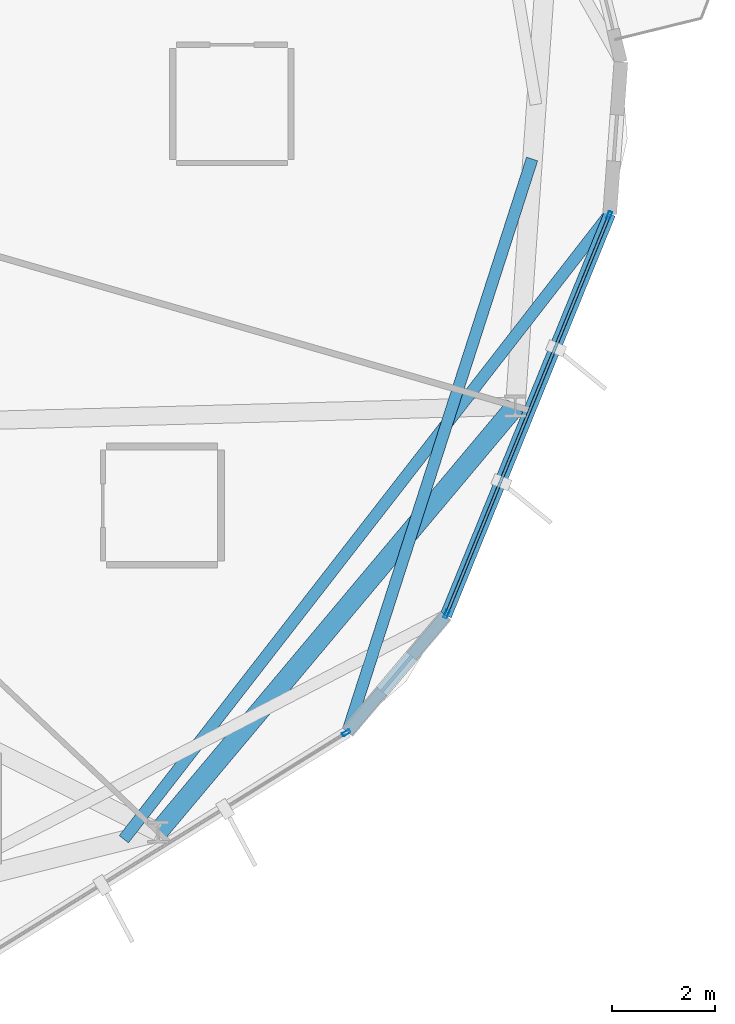
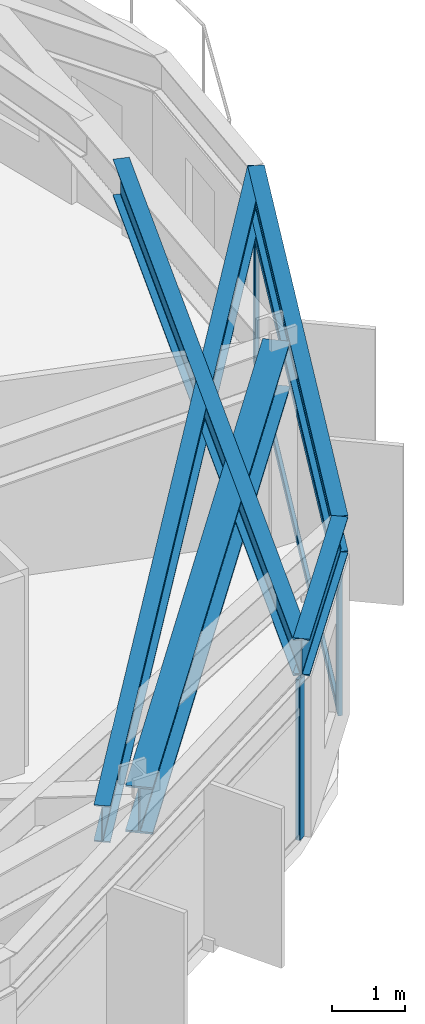
# One storey, part 8 of 21: 6 members, 5 beams, 2 elements without a shape of their own.
"""IFC4 building model written with IfcOpenShell, lengths in metres."""

from ifc_helpers import new_model, si_unit, direction, frame, origin, origin_2d, place, context, subcontext, project, spatial, hollow_rectangle, i_section, extrude, material, layer, layer_set, material_profile, profile_set, type_object, element, aggregate, save


model = new_model("IFC4")

# Units and contexts
model_context = context("Model", 3, precision=1e-05, world=origin(), true_north=direction((0.0, 1.0)))
body_context = subcontext(model_context, "Body", "Model", "MODEL_VIEW")
ifc_project = project(units=[si_unit("LENGTHUNIT", "METRE"), si_unit("AREAUNIT", "SQUARE_METRE"), si_unit("VOLUMEUNIT", "CUBIC_METRE"), si_unit("PLANEANGLEUNIT", "RADIAN"), si_unit("MASSUNIT", "GRAM", prefix="KILO")], contexts=[model_context])

# Site, building, storey
site_placement = place(None, origin())
site = spatial("IfcSite", under=ifc_project, at=site_placement, CompositionType="ELEMENT")
building_placement = place(site_placement, origin())
building = spatial("IfcBuilding", under=site, at=building_placement, Name="Soratama Intermodal Tower", CompositionType="ELEMENT")
storey_placement = place(building_placement, frame((0.0, 0.0, 153.39990234375)))
storey = spatial("IfcBuildingStorey", under=building, at=storey_placement, Name="L37", CompositionType="ELEMENT", Elevation=153.39990234375)

# Beams
ifc_material_1 = material(Name="Structural steel ASTM A992 Grade 50", Category="steel")
ifc_material_profile_1 = material_profile(ifc_material_1, i_section(OverallWidth=0.382080078125, OverallDepth=0.779052734375, WebThickness=0.01806640625, FlangeThickness=0.030029296875, FilletRadius=0.01806640625, at=origin_2d()), Name="W30X191")
ifc_profile_set_1 = profile_set([ifc_material_profile_1], Name="Structural steel ASTM A992 Grade 50")
beam_type_1 = type_object("IfcBeamType", Name="BM-RING-W30X191", PredefinedType="BEAM", material=ifc_profile_set_1)
beam_1_placement = place(storey_placement, frame((54.27392578125, 10.158935546875, 2.91064453125), z_axis=(0.642791781199, 0.766040942785, 0.0), x_axis=(-0.766040942785, 0.642791781199, 0.0)))
element("IfcBeam", 1, at=beam_1_placement, inside=storey, type_object=beam_type_1, Name="BM-L37-RING-09", PredefinedType="BEAM", context=body_context, shape_type="SweptSolid", body=[
    extrude(i_section(OverallWidth=0.382080078125, OverallDepth=0.779052734375, WebThickness=0.01806640625, FlangeThickness=0.030029296875, FilletRadius=0.01806640625, at=origin_2d()), origin(), (0.0, 0.0, 1.0), 10.815673828125),
])
ifc_material_2 = material(Name="Structural steel ASTM A992 Grade 50", Category="steel")
ifc_material_profile_2 = material_profile(ifc_material_2, i_section(OverallWidth=0.22900390625, OverallDepth=0.612060546875, WebThickness=0.011962890625, FlangeThickness=0.01953125, FilletRadius=0.012939453125, at=origin_2d()), Name="W24X84")
ifc_profile_set_2 = profile_set([ifc_material_profile_2], Name="Structural steel ASTM A992 Grade 50")
beam_type_2 = type_object("IfcBeamType", Name="BM-SPN-W24X84", PredefinedType="SPANDREL", material=ifc_profile_set_2)
beam_2_placement = place(storey_placement, frame((57.9609375, 12.10595703125, 2.994140625), z_axis=(0.645432814439, 0.763817047496, 0.0), x_axis=(-0.763817047496, 0.645432814439, 0.0)))
element("IfcBeam", 2, at=beam_2_placement, inside=storey, type_object=beam_type_2, Name="BS-L37-CRN08", PredefinedType="SPANDREL", context=body_context, shape_type="SweptSolid", body=[
    extrude(i_section(OverallWidth=0.22900390625, OverallDepth=0.612060546875, WebThickness=0.011962890625, FlangeThickness=0.01953125, FilletRadius=0.012939453125, at=origin_2d()), origin(), (0.0, 0.0, 1.0), 2.965576171875),
])
beam_3_placement = place(storey_placement, frame((59.875, 14.37109375, 2.994140625), z_axis=(0.377815023568, 0.92588109818, 0.0), x_axis=(-0.92588109818, 0.377815023568, 0.0)))
element("IfcBeam", 3, at=beam_3_placement, inside=storey, type_object=beam_type_2, Name="BS-L37-F09", PredefinedType="SPANDREL", context=body_context, shape_type="SweptSolid", body=[
    extrude(i_section(OverallWidth=0.22900390625, OverallDepth=0.612060546875, WebThickness=0.011962890625, FlangeThickness=0.01953125, FilletRadius=0.012939453125, at=origin_2d()), origin(), (0.0, 0.0, 1.0), 8.4404296875),
])
ifc_material_3 = material(Name="Structural steel ASTM A992 Grade 50", Category="steel")
ifc_material_profile_3 = material_profile(ifc_material_3, i_section(OverallWidth=0.22900390625, OverallDepth=0.612060546875, WebThickness=0.011962890625, FlangeThickness=0.01953125, FilletRadius=0.012939453125, at=origin_2d()), Name="W24X84")
ifc_profile_set_3 = profile_set([ifc_material_profile_3], Name="Structural steel ASTM A992 Grade 50")
beam_type_3 = type_object("IfcBeamType", Name="BM-TIE-W24X84", PredefinedType="BEAM", material=ifc_profile_set_3)
beam_4_placement = place(storey_placement, frame((61.552978515625, 23.258056640625, 2.994140625), z_axis=(-0.306584484831, -0.951843450186, 0.0), x_axis=(0.951843450186, -0.306584484831, 0.0)))
element("IfcBeam", 4, at=beam_4_placement, inside=storey, type_object=beam_type_3, Name="BM-L37-TIE1-08", PredefinedType="BEAM", context=body_context, shape_type="SweptSolid", body=[
    extrude(i_section(OverallWidth=0.22900390625, OverallDepth=0.612060546875, WebThickness=0.011962890625, FlangeThickness=0.01953125, FilletRadius=0.012939453125, at=origin_2d()), origin(), (0.0, 0.0, 1.0), 11.71630859375),
])
beam_5_placement = place(storey_placement, frame((53.60791015625, 10.01904296875, 2.994140625), z_axis=(0.613651001509, 0.789577385914, 0.0), x_axis=(-0.789577385914, 0.613651001509, 0.0)))
element("IfcBeam", 5, at=beam_5_placement, inside=storey, type_object=beam_type_3, Name="BM-L37-TIE1-09", PredefinedType="BEAM", context=body_context, shape_type="SweptSolid", body=[
    extrude(i_section(OverallWidth=0.22900390625, OverallDepth=0.612060546875, WebThickness=0.011962890625, FlangeThickness=0.01953125, FilletRadius=0.012939453125, at=origin_2d()), origin(), (0.0, 0.0, 1.0), 15.409423828125),
])

# Curtain wall, member
ifc_material_4 = material(Name="Double-glazed aluminium curtain wall", Category="aluminium")
ifc_layer = layer(ifc_material_4, 0.159912109375)
ifc_layer_set = layer_set([ifc_layer], Name="Double-glazed aluminium curtain wall")
curtain_wall_type = type_object("IfcCurtainWallType", Name="CW-SYS-4", PredefinedType="NOTDEFINED", material=ifc_layer_set)
curtain_wall_1_placement = place(storey_placement, origin())
curtain_wall_1 = element("IfcCurtainWall", 6, at=curtain_wall_1_placement, inside=storey, type_object=curtain_wall_type, Name="L37 Faceted Curtain Wall F08", PredefinedType="NOTDEFINED")
ifc_material_5 = material(Name="Anodised aluminium AA 6063-T6", Category="aluminium")
ifc_material_profile_4 = material_profile(ifc_material_5, hollow_rectangle(XDim=0.070068359375, YDim=0.159912109375, WallThickness=0.0048828125, InnerFilletRadius=0.0048828125, OuterFilletRadius=0.010009765625, at=origin_2d()), Name="CWM160X70X5")
ifc_profile_set_4 = profile_set([ifc_material_profile_4], Name="Anodised aluminium AA 6063-T6")
member_type_1 = type_object("IfcMemberType", Name="MT-CWM-4", PredefinedType="MULLION", material=ifc_profile_set_4)
member_1_placement = place(storey_placement, frame((57.93505859375, 12.08984375, 0.0), z_axis=(0.0, 0.0, 1.0), x_axis=(-0.526959352028, 0.849890487833, 0.0)))
member_1 = element("IfcMember", 7, at=member_1_placement, type_object=member_type_1, Name="CW-4 mullion 2", PredefinedType="MULLION", context=body_context, shape_type="SweptSolid", body=[
    extrude(hollow_rectangle(XDim=0.070068359375, YDim=0.159912109375, WallThickness=0.0048828125, InnerFilletRadius=0.0048828125, OuterFilletRadius=0.010009765625, at=origin_2d()), origin(), (0.0, 0.0, 1.0), 2.67919921875),
])
aggregate(curtain_wall_1, [member_1])

# Curtain wall, members
curtain_wall_2_placement = place(storey_placement, origin())
curtain_wall_2 = element("IfcCurtainWall", 8, at=curtain_wall_2_placement, inside=storey, type_object=curtain_wall_type, Name="L37 Faceted Curtain Wall F09", PredefinedType="NOTDEFINED")
member_2_placement = place(storey_placement, frame((59.88671875, 14.399169921875, 0.0), z_axis=(0.0, 0.0, 1.0), x_axis=(-0.925873105028, 0.377834611154, 0.0)))
member_2 = element("IfcMember", 9, at=member_2_placement, type_object=member_type_1, Name="CW-4 mullion 1", PredefinedType="MULLION", context=body_context, shape_type="SweptSolid", body=[
    extrude(hollow_rectangle(XDim=0.070068359375, YDim=0.159912109375, WallThickness=0.0048828125, InnerFilletRadius=0.0048828125, OuterFilletRadius=0.010009765625, at=origin_2d()), origin(), (0.0, 0.0, 1.0), 2.67919921875),
])
member_3_placement = place(storey_placement, frame((63.052978515625, 22.158447265625, 0.0), z_axis=(0.0, 0.0, 1.0), x_axis=(-0.925873105028, 0.377834611154, 0.0)))
member_3 = element("IfcMember", 10, at=member_3_placement, type_object=member_type_1, Name="CW-4 mullion 2", PredefinedType="MULLION", context=body_context, shape_type="SweptSolid", body=[
    extrude(hollow_rectangle(XDim=0.070068359375, YDim=0.159912109375, WallThickness=0.0048828125, InnerFilletRadius=0.0048828125, OuterFilletRadius=0.010009765625, at=origin_2d()), origin(), (0.0, 0.0, 1.0), 2.67919921875),
])
ifc_material_6 = material(Name="Anodised aluminium AA 6063-T6", Category="aluminium")
ifc_material_profile_5 = material_profile(ifc_material_6, hollow_rectangle(XDim=0.06005859375, YDim=0.1298828125, WallThickness=0.0048828125, InnerFilletRadius=0.0048828125, OuterFilletRadius=0.010009765625, at=origin_2d()), Name="CWT130X60X5")
ifc_profile_set_5 = profile_set([ifc_material_profile_5], Name="Anodised aluminium AA 6063-T6")
member_type_2 = type_object("IfcMemberType", Name="TT-CWT-2", PredefinedType="USERDEFINED", material=ifc_profile_set_5)
member_4_placement = place(storey_placement, frame((59.89794921875, 14.427001953125, 0.030029296875), z_axis=(0.377842072735, 0.925870060036, 0.0), x_axis=(-0.925870060036, 0.377842072735, 0.0)))
member_4 = element("IfcMember", 11, at=member_4_placement, type_object=member_type_2, Name="CW-4 transom 1.1", ObjectType="TRANSOM", PredefinedType="USERDEFINED", context=body_context, shape_type="SweptSolid", body=[
    extrude(hollow_rectangle(XDim=0.06005859375, YDim=0.1298828125, WallThickness=0.0048828125, InnerFilletRadius=0.0048828125, OuterFilletRadius=0.010009765625, at=origin_2d()), origin(), (0.0, 0.0, 1.0), 8.3203125),
])
member_5_placement = place(storey_placement, frame((59.89794921875, 14.427001953125, 2.150146484375), z_axis=(0.377842072735, 0.925870060036, 0.0), x_axis=(-0.925870060036, 0.377842072735, 0.0)))
member_5 = element("IfcMember", 12, at=member_5_placement, type_object=member_type_2, Name="CW-4 transom 1.2", ObjectType="TRANSOM", PredefinedType="USERDEFINED", context=body_context, shape_type="SweptSolid", body=[
    extrude(hollow_rectangle(XDim=0.06005859375, YDim=0.1298828125, WallThickness=0.0048828125, InnerFilletRadius=0.0048828125, OuterFilletRadius=0.010009765625, at=origin_2d()), origin(), (0.0, 0.0, 1.0), 8.3203125),
])
member_6_placement = place(storey_placement, frame((59.89794921875, 14.427001953125, 2.649169921875), z_axis=(0.377842072735, 0.925870060036, 0.0), x_axis=(-0.925870060036, 0.377842072735, 0.0)))
member_6 = element("IfcMember", 13, at=member_6_placement, type_object=member_type_2, Name="CW-4 transom 1.3", ObjectType="TRANSOM", PredefinedType="USERDEFINED", context=body_context, shape_type="SweptSolid", body=[
    extrude(hollow_rectangle(XDim=0.06005859375, YDim=0.1298828125, WallThickness=0.0048828125, InnerFilletRadius=0.0048828125, OuterFilletRadius=0.010009765625, at=origin_2d()), origin(), (0.0, 0.0, 1.0), 8.3203125),
])
aggregate(curtain_wall_2, [member_2, member_3, member_4, member_5, member_6])

save(model, "model.ifc")
